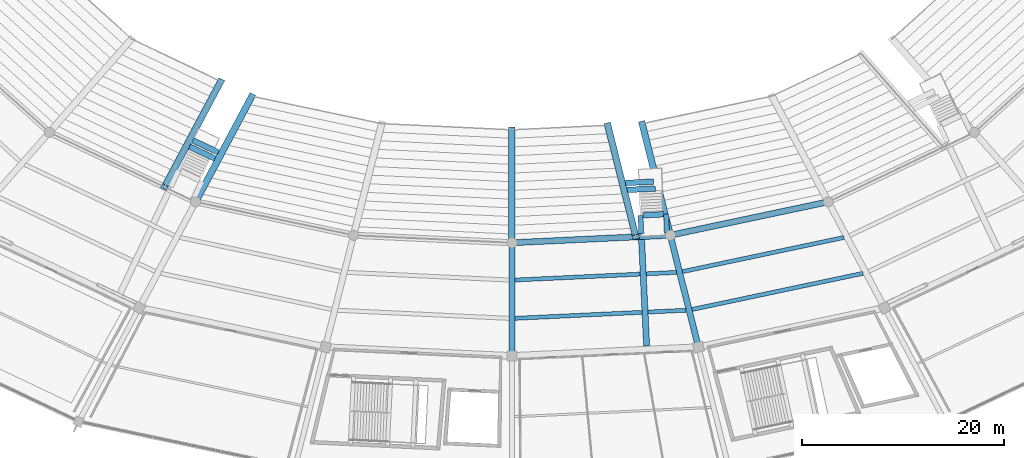
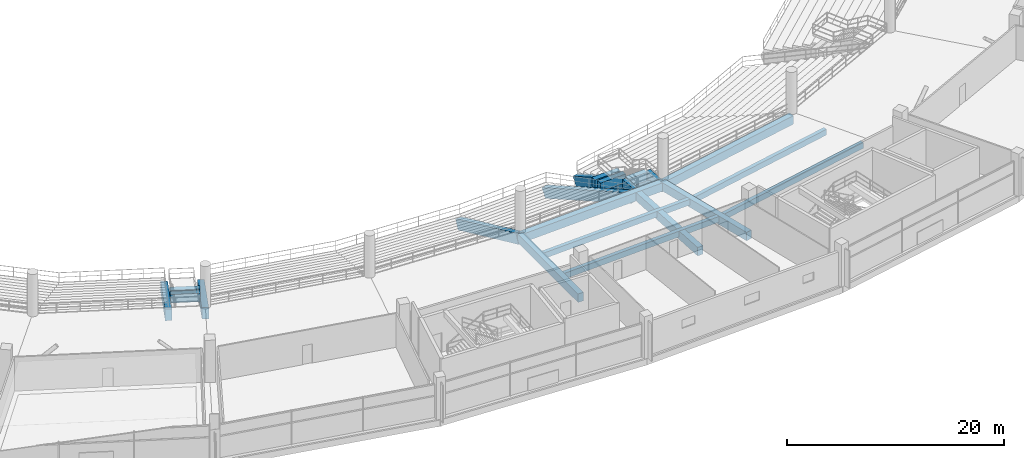
# One storey, part 24 of 156: 21 beams.
"""IFC4 building model written with IfcOpenShell, lengths in metres."""

from ifc_helpers import new_model, si_unit, direction, frame, origin, origin_2d, place, context, subcontext, project, spatial, rectangle, extrude, material, material_profile, profile_set, type_object, element, save


model = new_model("IFC4")

# Units and contexts
model_context = context("Model", 3, precision=1e-05, world=origin(), true_north=direction((0.0, 1.0)))
body_context = subcontext(model_context, "Body", "Model", "MODEL_VIEW")
ifc_project = project(units=[si_unit("LENGTHUNIT", "METRE"), si_unit("AREAUNIT", "SQUARE_METRE"), si_unit("VOLUMEUNIT", "CUBIC_METRE"), si_unit("PLANEANGLEUNIT", "RADIAN"), si_unit("MASSUNIT", "GRAM", prefix="KILO")], contexts=[model_context])

# Site, building, storey
site_placement = place(None, origin())
site = spatial("IfcSite", under=ifc_project, at=site_placement, CompositionType="ELEMENT")
building_placement = place(site_placement, origin())
building = spatial("IfcBuilding", under=site, at=building_placement, Name="Kazemori Nagisa Stadium", CompositionType="ELEMENT")
storey_placement = place(building_placement, frame((0.0, 0.0, 5.780029296875)))
storey = spatial("IfcBuildingStorey", under=building, at=storey_placement, Name="L01", CompositionType="ELEMENT", Elevation=5.780029296875)

# Beams
ifc_material = material(Name="Concrete C40/50 (Fc42)", Category="concrete")
ifc_material_profile_1 = material_profile(ifc_material, rectangle(XDim=0.60009765625, YDim=0.949951171875, at=origin_2d()), Name="RC-BM-600x950")
ifc_profile_set_1 = profile_set([ifc_material_profile_1], Name="Concrete C40/50 (Fc42)")
beam_type_1 = type_object("IfcBeamType", Name="Beam_BG-RC600X950", PredefinedType="BEAM", material=ifc_profile_set_1)
beam_1_placement = place(storey_placement, frame((123.0, 39.219970703125, -0.755126953125), z_axis=(0.998883604512, 0.047239227746, 0.0), x_axis=(-0.047239227746, 0.998883604512, 0.0)))
element("IfcBeam", 1, at=beam_1_placement, inside=storey, type_object=beam_type_1, Name="Ring girder BG-RC600X950 L01 R1-22", PredefinedType="BEAM", context=body_context, shape_type="SweptSolid", body=[
    extrude(rectangle(XDim=0.60009765625, YDim=0.949951171875, at=origin_2d()), origin(), (0.0, 0.0, 1.0), 15.65966796875),
])
beam_2_placement = place(storey_placement, frame((138.64208984375, 39.959716796875, -0.755126953125), z_axis=(0.978348272746, 0.206965352692, 0.0), x_axis=(-0.206965352692, 0.978348272746, 0.0)))
element("IfcBeam", 2, at=beam_2_placement, inside=storey, type_object=beam_type_1, Name="Ring girder BG-RC600X950 L01 R1-23", PredefinedType="BEAM", context=body_context, shape_type="SweptSolid", body=[
    extrude(rectangle(XDim=0.60009765625, YDim=0.949951171875, at=origin_2d()), origin(), (0.0, 0.0, 1.0), 15.950927734375),
])
beam_3_placement = place(storey_placement, frame((123.0, 39.219970703125, -0.755126953125), z_axis=(0.0, -1.0, 0.0), x_axis=(1.0, 0.0, 0.0)))
element("IfcBeam", 3, at=beam_3_placement, inside=storey, type_object=beam_type_1, Name="Radial girder BG-RC600X950 L01 R1-R2-22", PredefinedType="BEAM", context=body_context, shape_type="SweptSolid", body=[
    extrude(rectangle(XDim=0.60009765625, YDim=0.949951171875, at=origin_2d()), origin(), (0.0, 0.0, 1.0), 11.179931640625),
])
beam_4_placement = place(storey_placement, frame((138.64208984375, 39.959716796875, -0.755126953125), z_axis=(0.244481205955, -0.969654031052, 0.0), x_axis=(0.969654031052, 0.244481205955, 0.0)))
element("IfcBeam", 4, at=beam_4_placement, inside=storey, type_object=beam_type_1, Name="Radial girder BG-RC600X950 L01 R1-R2-23", PredefinedType="BEAM", context=body_context, shape_type="SweptSolid", body=[
    extrude(rectangle(XDim=0.60009765625, YDim=0.949951171875, at=origin_2d()), origin(), (0.0, 0.0, 1.0), 11.39404296875),
])
beam_5_placement = place(storey_placement, frame((135.809326171875, 39.5302734375, -0.755126953125), z_axis=(0.047240263758, -0.998883555516, 0.0), x_axis=(0.998883555516, 0.047240263758, 0.0)))
element("IfcBeam", 5, at=beam_5_placement, inside=storey, type_object=beam_type_1, Name="Lower vomitory right backspan girder B22", PredefinedType="BEAM", context=body_context, shape_type="SweptSolid", body=[
    extrude(rectangle(XDim=0.60009765625, YDim=0.949951171875, at=origin_2d()), origin(), (0.0, 0.0, 1.0), 10.532470703125),
])
ifc_material_profile_2 = material_profile(ifc_material, rectangle(XDim=0.5, YDim=0.949951171875, at=origin_2d()), Name="RC-BM-500x950")
ifc_profile_set_2 = profile_set([ifc_material_profile_2], Name="Concrete C40/50 (Fc42)")
beam_type_2 = type_object("IfcBeamType", Name="Beam_BG-TR500X950", PredefinedType="BEAM", material=ifc_profile_set_2)
for number, where, z_axis, x_axis, name in (
    (6, (138.2333984375, 42.042724609375, -0.695068359375), (0.047205272607, -0.99888520974, 0.0), (0.99888520974, 0.047205272607, 0.0), "Lower vomitory left trimmer girder B22"),
    (7, (135.6962890625, 41.922607421875, -0.695068359375), (0.047205272607, -0.99888520974, 0.0), (0.99888520974, 0.047205272607, 0.0), "Lower vomitory right trimmer girder B22"),
):
    element("IfcBeam", number, at=place(storey_placement, frame(where, z_axis=z_axis, x_axis=x_axis)), inside=storey, type_object=beam_type_2, Name=name, PredefinedType="BEAM", context=body_context, shape_type="SweptSolid", body=[
        extrude(rectangle(XDim=0.5, YDim=0.949951171875, at=origin_2d()), origin(), (0.0, 0.0, 1.0), 1.804931640625),
    ])
ifc_material_profile_3 = material_profile(ifc_material, rectangle(XDim=0.550048828125, YDim=0.949951171875, at=origin_2d()), Name="RC-BM-550x950")
ifc_profile_set_3 = profile_set([ifc_material_profile_3], Name="Concrete C40/50 (Fc42)")
beam_type_3 = type_object("IfcBeamType", Name="Beam_BG-TR550X950", PredefinedType="BEAM", material=ifc_profile_set_3)
beam_6_placement = place(storey_placement, frame((137.988525390625, 42.031005859375, -0.695068359375), z_axis=(-0.99888718829, -0.047163386975, 0.0), x_axis=(0.047163386975, -0.99888718829, 0.0)))
element("IfcBeam", 8, at=beam_6_placement, inside=storey, type_object=beam_type_3, Name="Lower vomitory portal header girder B22", PredefinedType="BEAM", context=body_context, shape_type="SweptSolid", body=[
    extrude(rectangle(XDim=0.550048828125, YDim=0.949951171875, at=origin_2d()), origin(), (0.0, 0.0, 1.0), 2.0498046875),
])
for number, where, z_axis, x_axis, name in (
    (9, (91.159423828125, 48.71875, -2.135009765625), (0.903222189905, -0.429173246676, 0.0), (0.429173246676, 0.903222189905, 0.0), "Vomitory landing cross-beam VL08-1"),
    (10, (91.486572265625, 49.333740234375, -2.135009765625), (0.903222189905, -0.429173246676, 0.0), (0.429173246676, 0.903222189905, 0.0), "Vomitory landing cross-beam VL08-2"),
    (11, (134.3896484375, 44.4384765625, -2.135009765625), (0.998883187939, 0.047248035441, 0.0), (-0.047248035441, 0.998883187939, 0.0), "Vomitory landing cross-beam VL09-1"),
    (12, (134.216064453125, 45.127197265625, -2.135009765625), (0.998883187939, 0.047248035441, 0.0), (-0.047248035441, 0.998883187939, 0.0), "Vomitory landing cross-beam VL09-2"),
):
    element("IfcBeam", number, at=place(storey_placement, frame(where, z_axis=z_axis, x_axis=x_axis)), inside=storey, type_object=beam_type_3, Name=name, PredefinedType="BEAM", context=body_context, shape_type="SweptSolid", body=[
        extrude(rectangle(XDim=0.550048828125, YDim=0.949951171875, at=origin_2d()), origin(), (0.0, 0.0, 1.0), 2.780029296875),
    ])
ifc_material_profile_4 = material_profile(ifc_material, rectangle(XDim=0.39990234375, YDim=0.64990234375, at=origin_2d()), Name="RC-BM-400x650")
ifc_profile_set_4 = profile_set([ifc_material_profile_4], Name="Concrete C40/50 (Fc42)")
beam_type_4 = type_object("IfcBeamType", Name="Beam_BJ-RC400X650", PredefinedType="JOIST", material=ifc_profile_set_4)
beam_7_placement = place(storey_placement, frame((123.294677734375, 35.535888671875, -0.60498046875), z_axis=(0.998883867028, 0.047233676462, 0.0), x_axis=(-0.047233676462, 0.998883867028, 0.0)))
element("IfcBeam", 13, at=beam_7_placement, inside=storey, type_object=beam_type_4, Name="Concourse joist BJ-RC400X650 L01 B22-1", PredefinedType="JOIST", context=body_context, shape_type="SweptSolid", body=[
    extrude(rectangle(XDim=0.39990234375, YDim=0.64990234375, at=origin_2d()), origin(), (0.0, 0.0, 1.0), 15.9921875),
])
beam_8_placement = place(storey_placement, frame((123.294677734375, 31.751953125, -0.60498046875), z_axis=(0.998884256715, 0.047225434754, 0.0), x_axis=(-0.047225434754, 0.998884256715, 0.0)))
element("IfcBeam", 14, at=beam_8_placement, inside=storey, type_object=beam_type_4, Name="Concourse joist BJ-RC400X650 L01 B22-2", PredefinedType="JOIST", context=body_context, shape_type="SweptSolid", body=[
    extrude(rectangle(XDim=0.39990234375, YDim=0.64990234375, at=origin_2d()), origin(), (0.0, 0.0, 1.0), 16.935791015625),
])
beam_9_placement = place(storey_placement, frame((139.852294921875, 36.3662109375, -0.60498046875), z_axis=(0.978345737153, 0.206977338361, 0.0), x_axis=(-0.206977338361, 0.978345737153, 0.0)))
element("IfcBeam", 15, at=beam_9_placement, inside=storey, type_object=beam_type_4, Name="Concourse joist BJ-RC400X650 L01 B23-1", PredefinedType="JOIST", context=body_context, shape_type="SweptSolid", body=[
    extrude(rectangle(XDim=0.39990234375, YDim=0.64990234375, at=origin_2d()), origin(), (0.0, 0.0, 1.0), 16.30029296875),
])
beam_10_placement = place(storey_placement, frame((140.794921875, 32.626708984375, -0.60498046875), z_axis=(0.97834325925, 0.206989050628, 0.0), x_axis=(-0.206989050628, 0.97834325925, 0.0)))
element("IfcBeam", 16, at=beam_10_placement, inside=storey, type_object=beam_type_4, Name="Concourse joist BJ-RC400X650 L01 B23-2", PredefinedType="JOIST", context=body_context, shape_type="SweptSolid", body=[
    extrude(rectangle(XDim=0.39990234375, YDim=0.64990234375, at=origin_2d()), origin(), (0.0, 0.0, 1.0), 17.26171875),
])
ifc_material_profile_5 = material_profile(ifc_material, rectangle(XDim=0.64990234375, YDim=1.10009765625, at=origin_2d()), Name="RC-RK-650x1100")
ifc_profile_set_5 = profile_set([ifc_material_profile_5], Name="Concrete C40/50 (Fc42)")
beam_type_5 = type_object("IfcBeamType", Name="Beam_RK-RC650X1100", PredefinedType="USERDEFINED", material=ifc_profile_set_5)
beam_11_placement = place(storey_placement, frame((97.317138671875, 53.721435546875, -5.97998046875), z_axis=(-0.430727413965, -0.809676075056, 0.398620807712), x_axis=(0.882850394325, -0.469654321007, 0.0)))
element("IfcBeam", 17, at=beam_11_placement, inside=storey, type_object=beam_type_5, Name="Raker beam lower RK1-20", ObjectType="RAKER BEAM", PredefinedType="USERDEFINED", context=body_context, shape_type="SweptSolid", body=[
    extrude(rectangle(XDim=0.64990234375, YDim=1.10009765625, at=origin_2d()), origin(), (0.0, 0.0, 1.0), 12.919189453125),
])
beam_12_placement = place(storey_placement, frame((123.0, 50.39990234375, -5.97998046875), z_axis=(0.0, -0.908270290218, 0.418383890592), x_axis=(1.0, 0.0, 0.0)))
element("IfcBeam", 18, at=beam_12_placement, inside=storey, type_object=beam_type_5, Name="Raker beam lower RK1-22", ObjectType="RAKER BEAM", PredefinedType="USERDEFINED", context=body_context, shape_type="SweptSolid", body=[
    extrude(rectangle(XDim=0.64990234375, YDim=1.10009765625, at=origin_2d()), origin(), (0.0, 0.0, 1.0), 12.30908203125),
])
beam_13_placement = place(storey_placement, frame((135.856689453125, 51.0078125, -5.97998046875), z_axis=(0.222767621048, -0.88359217769, 0.411873100042), x_axis=(0.969657829837, 0.244466138833, 0.0)))
element("IfcBeam", 19, at=beam_13_placement, inside=storey, type_object=beam_type_5, Name="Raker beam lower RK1-23", ObjectType="RAKER BEAM", PredefinedType="USERDEFINED", context=body_context, shape_type="SweptSolid", body=[
    extrude(rectangle(XDim=0.64990234375, YDim=1.10009765625, at=origin_2d()), origin(), (0.0, 0.0, 1.0), 12.503662109375),
])
beam_14_placement = place(storey_placement, frame((94.246337890625, 55.1806640625, -5.97998046875), z_axis=(-0.430727413965, -0.809676075056, 0.398620807712), x_axis=(0.882850394325, -0.469654321007, 0.0)))
element("IfcBeam", 20, at=beam_14_placement, inside=storey, type_object=beam_type_5, Name="Raker beam lower vomitory cheek RK1V-19", ObjectType="RAKER BEAM", PredefinedType="USERDEFINED", context=body_context, shape_type="SweptSolid", body=[
    extrude(rectangle(XDim=0.64990234375, YDim=1.10009765625, at=origin_2d()), origin(), (0.0, 0.0, 1.0), 12.919189453125),
])
beam_15_placement = place(storey_placement, frame((132.46044921875, 50.847412109375, -5.97998046875), z_axis=(0.222782333998, -0.883592615492, 0.411864202749), x_axis=(0.969654031052, 0.244481205955, 0.0)))
element("IfcBeam", 21, at=beam_15_placement, inside=storey, type_object=beam_type_5, Name="Raker beam lower vomitory cheek RK1V-22", ObjectType="RAKER BEAM", PredefinedType="USERDEFINED", context=body_context, shape_type="SweptSolid", body=[
    extrude(rectangle(XDim=0.64990234375, YDim=1.10009765625, at=origin_2d()), origin(), (0.0, 0.0, 1.0), 12.50390625),
])

save(model, "model.ifc")
